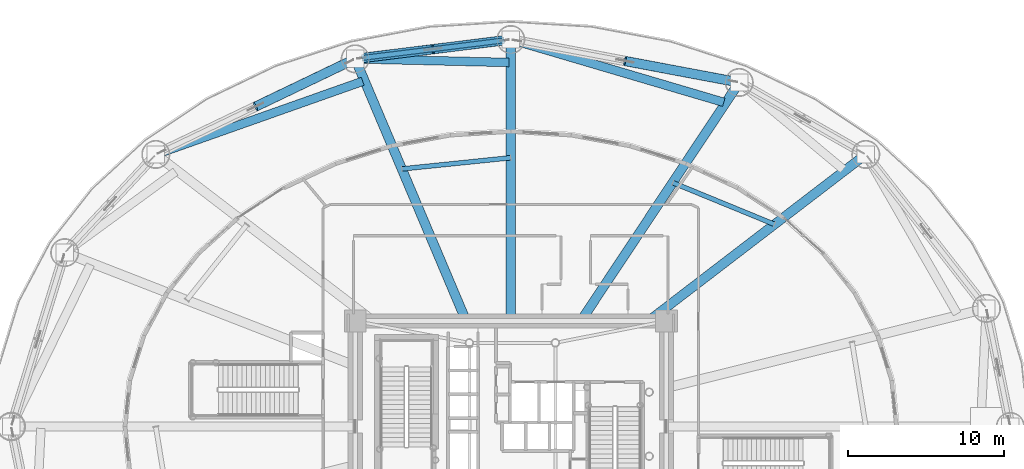
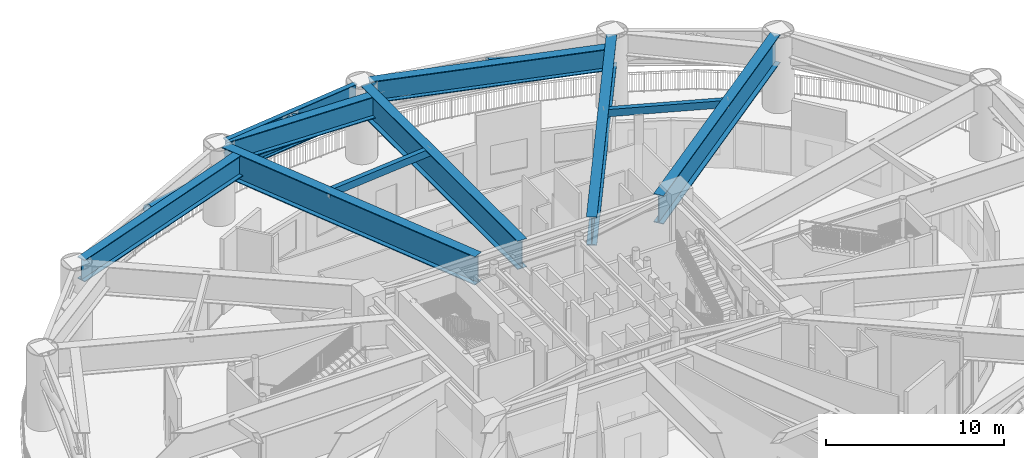
# One storey, part 13 of 39: 11 beams, 4 members.
"""IFC4 building model written with IfcOpenShell, lengths in metres."""

from ifc_helpers import new_model, si_unit, direction, frame, origin, origin_2d, place, context, subcontext, project, spatial, hollow_rectangle, hollow_circle, i_section, extrude, material, material_profile, profile_set, type_object, element, save


model = new_model("IFC4")

# Units and contexts
model_context = context("Model", 3, precision=1e-05, world=origin(), true_north=direction((0.0, 1.0)))
body_context = subcontext(model_context, "Body", "Model", "MODEL_VIEW")
ifc_project = project(units=[si_unit("LENGTHUNIT", "METRE"), si_unit("AREAUNIT", "SQUARE_METRE"), si_unit("VOLUMEUNIT", "CUBIC_METRE"), si_unit("PLANEANGLEUNIT", "RADIAN"), si_unit("MASSUNIT", "GRAM", prefix="KILO")], contexts=[model_context])

# Site, building, storey
site_placement = place(None, origin())
site = spatial("IfcSite", under=ifc_project, at=site_placement, CompositionType="ELEMENT")
building_placement = place(site_placement, origin())
building = spatial("IfcBuilding", under=site, at=building_placement, Name="Linh Dai School and Residence Tower", CompositionType="ELEMENT")
storey_placement = place(building_placement, frame((0.0, 0.0, 27.0)))
storey = spatial("IfcBuildingStorey", under=building, at=storey_placement, Name="L06", CompositionType="ELEMENT", Elevation=27.0)

# Beams
ifc_material = material(Name="Structural Steel S355JR", Category="steel")
ifc_material_profile_1 = material_profile(ifc_material, i_section(OverallWidth=0.41796875, OverallDepth=0.506103515625, WebThickness=0.038818359375, FlangeThickness=0.05810546875, FilletRadius=0.014892578125, at=origin_2d()), Name="HD 400x551")
ifc_profile_set_1 = profile_set([ifc_material_profile_1], Name="Structural Steel S355JR")
beam_type_1 = type_object("IfcBeamType", Name="BM-BC1", PredefinedType="BEAM", material=ifc_profile_set_1)
beam_1_placement = place(storey_placement, frame((35.583251953125, 51.6982421875, 3.050048828125), z_axis=(-0.992402470446, -0.123033884169, 0.0), x_axis=(0.123033884169, -0.992402470446, 0.0)))
element("IfcBeam", 1, at=beam_1_placement, inside=storey, type_object=beam_type_1, Name="L06 Ring Belt Truss BT1 Bottom Chord 05", PredefinedType="BEAM", context=body_context, shape_type="SweptSolid", body=[
    extrude(i_section(OverallWidth=0.41796875, OverallDepth=0.506103515625, WebThickness=0.038818359375, FlangeThickness=0.05810546875, FilletRadius=0.014892578125, at=origin_2d()), origin(), (0.0, 0.0, 1.0), 9.1875),
])
ifc_material_profile_2 = material_profile(ifc_material, hollow_rectangle(XDim=0.300048828125, YDim=0.5, WallThickness=0.01611328125, at=origin_2d()), Name="RHS 500x300x16")
ifc_profile_set_2 = profile_set([ifc_material_profile_2], Name="Structural Steel S355JR")
beam_type_2 = type_object("IfcBeamType", Name="BM-BX5", PredefinedType="BEAM", material=ifc_profile_set_2)
beam_2_placement = place(storey_placement, frame((52.86376953125, 39.92919921875, 4.89990234375), z_axis=(-0.925227399646, 0.3794130453, 0.0), x_axis=(-0.3794130453, -0.925227399646, 0.0)))
element("IfcBeam", 2, at=beam_2_placement, inside=storey, type_object=beam_type_2, Name="L06 Secondary Circumferential Floor Beam 02", PredefinedType="BEAM", context=body_context, shape_type="SweptSolid", body=[
    extrude(hollow_rectangle(XDim=0.300048828125, YDim=0.5, WallThickness=0.01611328125, at=origin_2d()), origin(), (0.0, 0.0, 1.0), 7.029296875),
])
beam_3_placement = place(storey_placement, frame((35.9951171875, 44.189453125, 4.89990234375), z_axis=(-0.994772627995, -0.102114732487, 0.0), x_axis=(0.102114732487, -0.994772627995, 0.0)))
element("IfcBeam", 3, at=beam_3_placement, inside=storey, type_object=beam_type_2, Name="L06 Secondary Circumferential Floor Beam 03", PredefinedType="BEAM", context=body_context, shape_type="SweptSolid", body=[
    extrude(hollow_rectangle(XDim=0.300048828125, YDim=0.5, WallThickness=0.01611328125, at=origin_2d()), origin(), (0.0, 0.0, 1.0), 6.998046875),
])
ifc_material_profile_3 = material_profile(ifc_material, i_section(OverallWidth=0.300048828125, OverallDepth=1.0, WebThickness=0.01904296875, FlangeThickness=0.035888671875, FilletRadius=0.030029296875, at=origin_2d()), Name="HEB 1000")
ifc_profile_set_3 = profile_set([ifc_material_profile_3], Name="Structural Steel S355JR")
beam_type_3 = type_object("IfcBeamType", Name="BM-RG10", PredefinedType="BEAM", material=ifc_profile_set_3)
beam_4_placement = place(storey_placement, frame((35.583251953125, 51.6982421875, 4.64990234375), z_axis=(-0.992402470446, -0.123033884169, 0.0), x_axis=(0.123033884169, -0.992402470446, 0.0)))
element("IfcBeam", 4, at=beam_4_placement, inside=storey, type_object=beam_type_3, Name="L06 Perimeter Elliptical Ring Beam 05", PredefinedType="BEAM", context=body_context, shape_type="SweptSolid", body=[
    extrude(i_section(OverallWidth=0.300048828125, OverallDepth=1.0, WebThickness=0.01904296875, FlangeThickness=0.035888671875, FilletRadius=0.030029296875, at=origin_2d()), origin(), (0.0, 0.0, 1.0), 9.1875),
])
ifc_material_profile_4 = material_profile(ifc_material, i_section(OverallWidth=0.550048828125, OverallDepth=1.5, WebThickness=0.028076171875, FlangeThickness=0.050048828125, at=origin_2d()), Name="PG 1500x550x28x50")
ifc_profile_set_4 = profile_set([ifc_material_profile_4], Name="Structural Steel S355JR")
beam_type_4 = type_object("IfcBeamType", Name="BM-TG15", PredefinedType="BEAM", material=ifc_profile_set_4)
beam_5_placement = place(storey_placement, frame((49.623291015625, 47.733154296875, 4.39990234375), z_axis=(-0.959177158127, 0.282805903984, 0.0), x_axis=(-0.282805903984, -0.959177158127, 0.0)))
element("IfcBeam", 5, at=beam_5_placement, inside=storey, type_object=beam_type_4, Name="L06 Setback Diaphragm Transfer Girder 04", PredefinedType="BEAM", context=body_context, shape_type="SweptSolid", body=[
    extrude(i_section(OverallWidth=0.550048828125, OverallDepth=1.5, WebThickness=0.028076171875, FlangeThickness=0.050048828125, at=origin_2d()), origin(), (0.0, 0.0, 1.0), 13.783203125),
])
beam_6_placement = place(storey_placement, frame((35.880126953125, 50.282958984375, 4.39990234375), z_axis=(-0.999719034433, 0.023703421554, 0.0), x_axis=(-0.023703421554, -0.999719034433, 0.0)))
element("IfcBeam", 6, at=beam_6_placement, inside=storey, type_object=beam_type_4, Name="L06 Setback Diaphragm Transfer Girder 05", PredefinedType="BEAM", context=body_context, shape_type="SweptSolid", body=[
    extrude(i_section(OverallWidth=0.550048828125, OverallDepth=1.5, WebThickness=0.028076171875, FlangeThickness=0.050048828125, at=origin_2d()), origin(), (0.0, 0.0, 1.0), 9.4140625),
])
beam_7_placement = place(storey_placement, frame((26.529052734375, 49.079833984375, 4.39990234375), z_axis=(-0.942803173682, -0.333349929796, 0.0), x_axis=(0.333349929796, -0.942803173682, 0.0)))
element("IfcBeam", 7, at=beam_7_placement, inside=storey, type_object=beam_type_4, Name="L06 Setback Diaphragm Transfer Girder 06", PredefinedType="BEAM", context=body_context, shape_type="SweptSolid", body=[
    extrude(i_section(OverallWidth=0.550048828125, OverallDepth=1.5, WebThickness=0.028076171875, FlangeThickness=0.050048828125, at=origin_2d()), origin(), (0.0, 0.0, 1.0), 13.6171875),
])
ifc_material_profile_5 = material_profile(ifc_material, i_section(OverallWidth=0.60009765625, OverallDepth=1.949951171875, WebThickness=0.031982421875, FlangeThickness=0.054931640625, at=origin_2d()), Name="PG 1950x600x32x55")
ifc_profile_set_5 = profile_set([ifc_material_profile_5], Name="Structural Steel S355JR")
beam_type_5 = type_object("IfcBeamType", Name="BM-TG19", PredefinedType="BEAM", material=ifc_profile_set_5)
beam_8_placement = place(storey_placement, frame((44.807861328125, 33.75, 4.175048828125), z_axis=(0.793713040757, 0.608292371259, 0.0), x_axis=(-0.608292371259, 0.793713040757, 0.0)))
element("IfcBeam", 8, at=beam_8_placement, inside=storey, type_object=beam_type_5, Name="L06 Radial Setback Transfer Girder 03", PredefinedType="BEAM", context=body_context, shape_type="SweptSolid", body=[
    extrude(i_section(OverallWidth=0.60009765625, OverallDepth=1.949951171875, WebThickness=0.031982421875, FlangeThickness=0.054931640625, at=origin_2d()), origin(), (0.0, 0.0, 1.0), 17.08935546875),
])
beam_9_placement = place(storey_placement, frame((40.481201171875, 33.75, 4.175048828125), z_axis=(0.553108911901, 0.833108955404, 0.0), x_axis=(-0.833108955404, 0.553108911901, 0.0)))
element("IfcBeam", 9, at=beam_9_placement, inside=storey, type_object=beam_type_5, Name="L06 Radial Setback Transfer Girder 04", PredefinedType="BEAM", context=body_context, shape_type="SweptSolid", body=[
    extrude(i_section(OverallWidth=0.60009765625, OverallDepth=1.949951171875, WebThickness=0.031982421875, FlangeThickness=0.054931640625, at=origin_2d()), origin(), (0.0, 0.0, 1.0), 17.89111328125),
])
beam_10_placement = place(storey_placement, frame((36.0, 33.75, 4.175048828125), z_axis=(0.0, 1.0, 0.0), x_axis=(-1.0, 0.0, 0.0)))
element("IfcBeam", 10, at=beam_10_placement, inside=storey, type_object=beam_type_5, Name="L06 Radial Setback Transfer Girder 05", PredefinedType="BEAM", context=body_context, shape_type="SweptSolid", body=[
    extrude(i_section(OverallWidth=0.60009765625, OverallDepth=1.949951171875, WebThickness=0.031982421875, FlangeThickness=0.054931640625, at=origin_2d()), origin(), (0.0, 0.0, 1.0), 17.580078125),
])
beam_11_placement = place(storey_placement, frame((33.1435546875, 33.75, 4.175048828125), z_axis=(-0.389695518128, 0.920943756779, 0.0), x_axis=(-0.920943756779, -0.389695518128, 0.0)))
element("IfcBeam", 11, at=beam_11_placement, inside=storey, type_object=beam_type_5, Name="L06 Radial Setback Transfer Girder 06", PredefinedType="BEAM", context=body_context, shape_type="SweptSolid", body=[
    extrude(i_section(OverallWidth=0.60009765625, OverallDepth=1.949951171875, WebThickness=0.031982421875, FlangeThickness=0.054931640625, at=origin_2d()), origin(), (0.0, 0.0, 1.0), 17.785400390625),
])

# Members
ifc_material_profile_6 = material_profile(ifc_material, hollow_circle(Radius=0.304931640625, WallThickness=0.02490234375, at=origin_2d()), Name="CHS 610x25")
ifc_profile_set_6 = profile_set([ifc_material_profile_6], Name="Structural Steel S355JR")
member_type = type_object("IfcMemberType", Name="MBR-BT1", PredefinedType="BRACE", material=ifc_profile_set_6)
member_1_placement = place(storey_placement, frame((50.20556640625, 49.0810546875, 3.138427734375), z_axis=(-0.960794099474, 0.180527045295, 0.210439265189), x_axis=(-0.184662198252, -0.982802051553, 0.0)))
element("IfcMember", 12, at=member_1_placement, inside=storey, type_object=member_type, Name="L06 Ring Belt Truss BT1 Diagonal 04A", PredefinedType="BRACE", context=body_context, shape_type="SweptSolid", body=[
    extrude(hollow_circle(Radius=0.304931640625, WallThickness=0.02490234375, at=origin_2d()), origin(), (0.0, 0.0, 1.0), 7.182373046875),
])
member_2_placement = place(storey_placement, frame((35.60302734375, 51.70068359375, 3.177734375), z_axis=(-0.945438121105, -0.117209322362, 0.303988048964), x_axis=(0.123031693255, -0.992402742063, 0.0)))
element("IfcMember", 13, at=member_2_placement, inside=storey, type_object=member_type, Name="L06 Ring Belt Truss BT1 Diagonal 05A", PredefinedType="BRACE", context=body_context, shape_type="SweptSolid", body=[
    extrude(hollow_circle(Radius=0.304931640625, WallThickness=0.02490234375, at=origin_2d()), origin(), (0.0, 0.0, 1.0), 4.8427734375),
])
member_3_placement = place(storey_placement, frame((26.446044921875, 50.5654296875, 3.177734375), z_axis=(0.945432769587, 0.117214909043, 0.304002538293), x_axis=(-0.12303815458, 0.992401941009, 0.0)))
element("IfcMember", 14, at=member_3_placement, inside=storey, type_object=member_type, Name="L06 Ring Belt Truss BT1 Diagonal 05B", PredefinedType="BRACE", context=body_context, shape_type="SweptSolid", body=[
    extrude(hollow_circle(Radius=0.304931640625, WallThickness=0.02490234375, at=origin_2d()), origin(), (0.0, 0.0, 1.0), 4.842529296875),
])
member_4_placement = place(storey_placement, frame((25.679443359375, 50.3388671875, 3.142578125), z_axis=(-0.879472790377, -0.421705183633, 0.220663429422), x_axis=(0.432362923396, -0.901699674211, 0.0)))
element("IfcMember", 15, at=member_4_placement, inside=storey, type_object=member_type, Name="L06 Ring Belt Truss BT1 Diagonal 06A", PredefinedType="BRACE", context=body_context, shape_type="SweptSolid", body=[
    extrude(hollow_circle(Radius=0.304931640625, WallThickness=0.02490234375, at=origin_2d()), origin(), (0.0, 0.0, 1.0), 6.830810546875),
])

save(model, "model.ifc")
